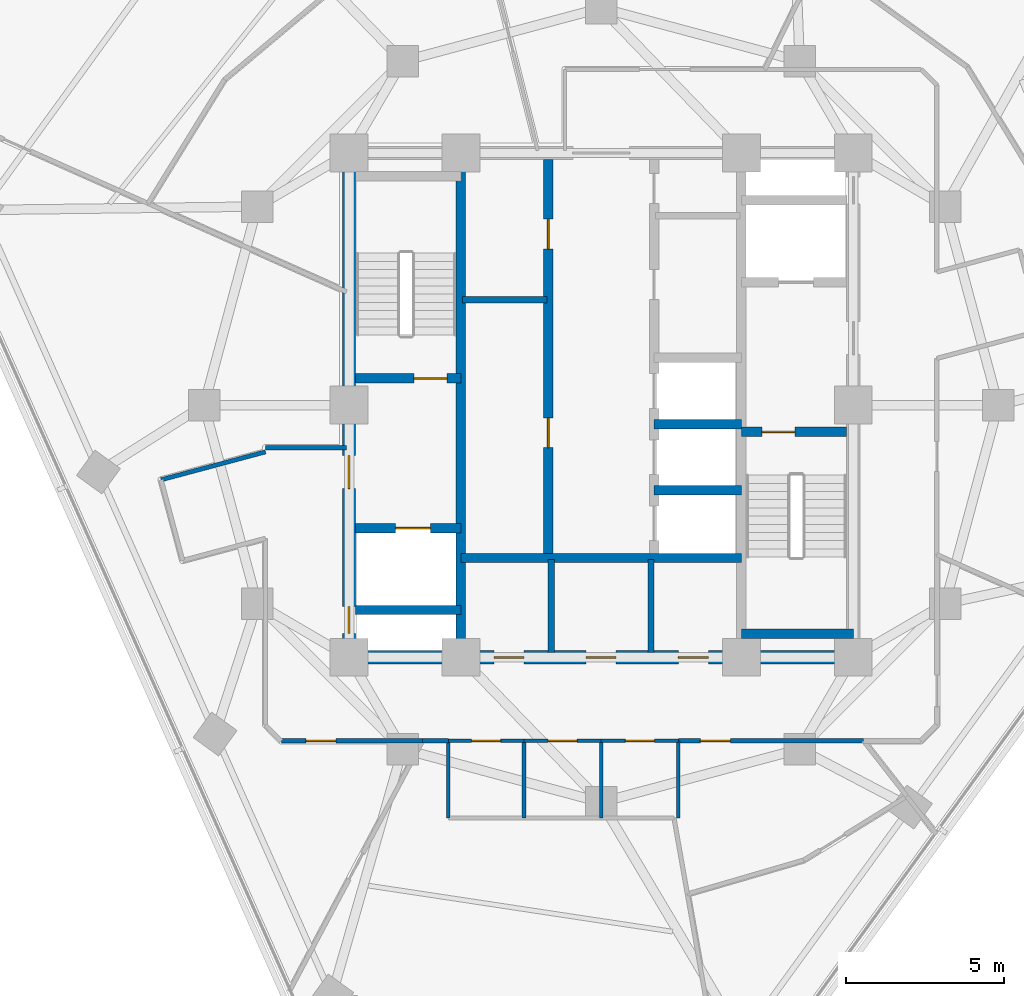
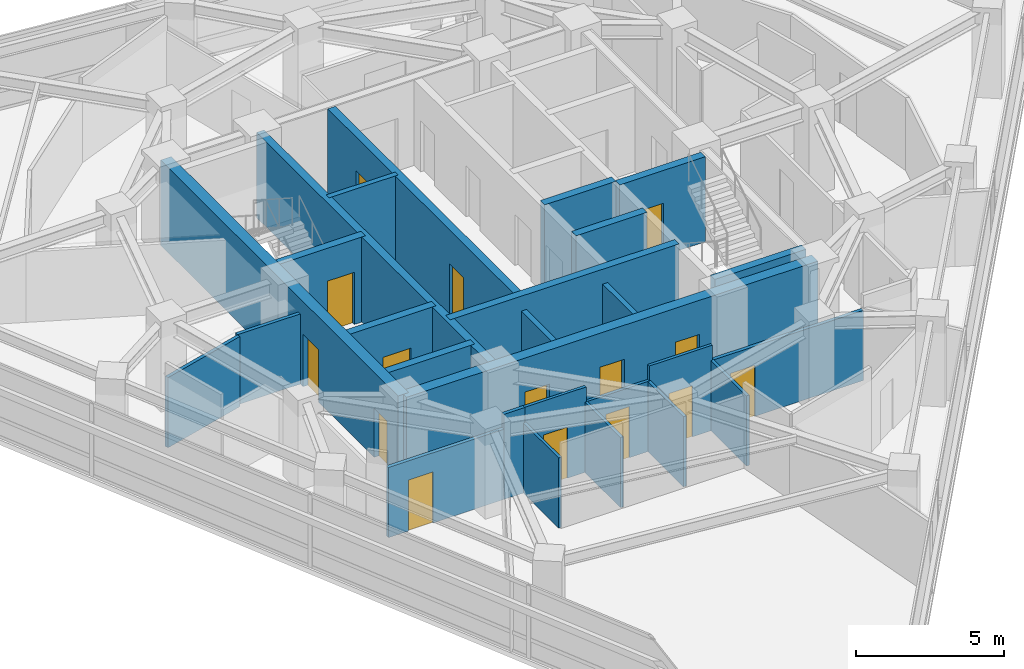
# One storey, part 8 of 15: 27 walls, 15 doors, 15 openings.
"""IFC4 building model written with IfcOpenShell, lengths in metres."""

from ifc_helpers import new_model, si_unit, direction, frame, frame_2d, origin, place, context, subcontext, project, spatial, rectangle, extrude, material, layer, layer_set, type_object, element, fill, save


model = new_model("IFC4")

# Units and contexts
model_context = context("Model", 3, precision=1e-05, world=origin(), true_north=direction((0.0, 1.0)))
body_context = subcontext(model_context, "Body", "Model", "MODEL_VIEW")
ifc_project = project(units=[si_unit("LENGTHUNIT", "METRE"), si_unit("AREAUNIT", "SQUARE_METRE"), si_unit("VOLUMEUNIT", "CUBIC_METRE"), si_unit("PLANEANGLEUNIT", "RADIAN"), si_unit("MASSUNIT", "GRAM", prefix="KILO")], contexts=[model_context])

# Site, building, storey
site_placement = place(None, origin())
site = spatial("IfcSite", under=ifc_project, at=site_placement, CompositionType="ELEMENT")
building_placement = place(site_placement, origin())
building = spatial("IfcBuilding", under=site, at=building_placement, Name="Terralouvre Media Tower", CompositionType="ELEMENT")
storey_placement = place(building_placement, frame((0.0, 0.0, 237.39990234375)))
storey = spatial("IfcBuildingStorey", under=building, at=storey_placement, Name="L61", CompositionType="ELEMENT", Elevation=237.39990234375)

# Wall
ifc_material_1 = material(Name="Concrete C50/60", Category="concrete")
ifc_layer_1 = layer(ifc_material_1, 0.300048828125, Name="Core Internal Shaft Wall CW-300")
ifc_layer_set_1 = layer_set([ifc_layer_1], Name="Concrete C50/60")
wall_type_1 = type_object("IfcWallType", Name="Core Internal Shaft Wall CW-300", PredefinedType="SHEAR", material=ifc_layer_set_1)
wall_1_placement = place(storey_placement, frame((-4.449951171875, -7.7900390625, 0.0), z_axis=(0.0, 0.0, 1.0), x_axis=(0.0, 1.0, 0.0)))
element("IfcWall", 1, at=wall_1_placement, inside=storey, type_object=wall_type_1, Name="L61 Core Shaft Wall SPW", PredefinedType="SHEAR", context=body_context, shape_type="SweptSolid", body=[
    extrude(rectangle(XDim=15.580078125, YDim=0.300048828125, at=frame_2d((7.7900390625, 0.0))), origin(), (0.0, 0.0, 1.0), 3.5),
])

# Wall, opening, door
wall_2_placement = place(storey_placement, frame((-7.7900390625, 0.85009765625, 0.0), z_axis=(0.0, 0.0, 1.0), x_axis=(1.0, 0.0, 0.0)))
wall_2 = element("IfcWall", 2, at=wall_2_placement, inside=storey, type_object=wall_type_1, Name="L61 Core Shaft Wall ST1D", PredefinedType="SHEAR", context=body_context, shape_type="SweptSolid", body=[
    extrude(rectangle(XDim=3.340087890625, YDim=0.300048828125, at=frame_2d((1.669921875, 0.0))), origin(), (0.0, 0.0, 1.0), 3.5),
])
opening_1_placement = place(wall_2_placement, frame((1.85009765625, 0.0, 0.0)))
opening_1 = element("IfcOpeningElement", 3, at=opening_1_placement, cuts=wall_2, Name="Opening FD-01-105X215", PredefinedType="OPENING", context=body_context, shape_type="SweptSolid", body=[
    extrude(rectangle(XDim=1.050048828125, YDim=2.14990234375, at=frame_2d((0.52490234375, 1.074951171875))), frame((0.0, 0.159912109375, 0.0), z_axis=(0.0, -1.0, 0.0), x_axis=(1.0, 0.0, 0.0)), (0.0, 0.0, 1.0), 0.320068359375),
])
ifc_material_2 = material(Name="Galvanised steel fire-resisting leaf", Category="steel")
door_type_1 = type_object("IfcDoorType", Name="Stair and Firefighting Lobby Fire Door FD-01 (1050x2150)", OperationType="NOTDEFINED", PredefinedType="DOOR", material=ifc_material_2)
door_1_placement = place(opening_1_placement, origin())
door_1 = element("IfcDoor", 4, at=door_1_placement, inside=storey, type_object=door_type_1, Name="L61 ST-01 Exit Stair Door", OperationType="SINGLE_SWING_LEFT", OverallHeight=2.14990234375, OverallWidth=1.050048828125, PredefinedType="DOOR", context=body_context, shape_type="SweptSolid", body=[
    extrude(rectangle(XDim=1.050048828125, YDim=2.14990234375, at=frame_2d((0.52490234375, 1.074951171875))), frame((0.0, 0.02490234375, 0.0), z_axis=(0.0, -1.0, 0.0), x_axis=(1.0, 0.0, 0.0)), (0.0, 0.0, 1.0), 0.050048828125),
])
fill(opening_1, door_1)

wall_3_placement = place(storey_placement, frame((4.449951171875, -0.85009765625, 0.0), z_axis=(0.0, 0.0, 1.0), x_axis=(1.0, 0.0, 0.0)))
wall_3 = element("IfcWall", 5, at=wall_3_placement, inside=storey, type_object=wall_type_1, Name="L61 Core Shaft Wall ST2D", PredefinedType="SHEAR", context=body_context, shape_type="SweptSolid", body=[
    extrude(rectangle(XDim=3.340087890625, YDim=0.300048828125, at=frame_2d((1.669921875, 0.0))), origin(), (0.0, 0.0, 1.0), 3.5),
])
opening_2_placement = place(wall_3_placement, frame((0.64990234375, 0.0, 0.0)))
opening_2 = element("IfcOpeningElement", 6, at=opening_2_placement, cuts=wall_3, Name="Opening FD-01-105X215", PredefinedType="OPENING", context=body_context, shape_type="SweptSolid", body=[
    extrude(rectangle(XDim=1.050048828125, YDim=2.14990234375, at=frame_2d((0.52490234375, 1.074951171875))), frame((0.0, 0.159912109375, 0.0), z_axis=(0.0, -1.0, 0.0), x_axis=(1.0, 0.0, 0.0)), (0.0, 0.0, 1.0), 0.320068359375),
])
door_2_placement = place(opening_2_placement, origin())
door_2 = element("IfcDoor", 7, at=door_2_placement, inside=storey, type_object=door_type_1, Name="L61 ST-02 Exit Stair Door", OperationType="SINGLE_SWING_RIGHT", OverallHeight=2.14990234375, OverallWidth=1.050048828125, PredefinedType="DOOR", context=body_context, shape_type="SweptSolid", body=[
    extrude(rectangle(XDim=1.050048828125, YDim=2.14990234375, at=frame_2d((0.52490234375, 1.074951171875))), frame((0.0, 0.02490234375, 0.0), z_axis=(0.0, -1.0, 0.0), x_axis=(1.0, 0.0, 0.0)), (0.0, 0.0, 1.0), 0.050048828125),
])
fill(opening_2, door_2)

# Wall
wall_4_placement = place(storey_placement, frame((4.449951171875, -7.260009765625, 0.0), z_axis=(0.0, 0.0, 1.0), x_axis=(1.0, 0.0, 0.0)))
element("IfcWall", 8, at=wall_4_placement, inside=storey, type_object=wall_type_1, Name="L61 Core Shaft Wall ST2F", PredefinedType="SHEAR", context=body_context, shape_type="SweptSolid", body=[
    extrude(rectangle(XDim=3.550048828125, YDim=0.300048828125, at=frame_2d((1.77490234375, 0.0))), origin(), (0.0, 0.0, 1.0), 3.5),
])

# Wall, opening, door
wall_5_placement = place(storey_placement, frame((-7.7900390625, -3.89990234375, 0.0), z_axis=(0.0, 0.0, 1.0), x_axis=(1.0, 0.0, 0.0)))
wall_5 = element("IfcWall", 9, at=wall_5_placement, inside=storey, type_object=wall_type_1, Name="L61 Core Shaft Wall FF1N", PredefinedType="SHEAR", context=body_context, shape_type="SweptSolid", body=[
    extrude(rectangle(XDim=3.340087890625, YDim=0.300048828125, at=frame_2d((1.669921875, 0.0))), origin(), (0.0, 0.0, 1.0), 3.5),
])
opening_3_placement = place(wall_5_placement, frame((1.27001953125, 0.0, 0.0)))
opening_3 = element("IfcOpeningElement", 10, at=opening_3_placement, cuts=wall_5, Name="Opening LD-FF", PredefinedType="OPENING", context=body_context, shape_type="SweptSolid", body=[
    extrude(rectangle(XDim=1.10009765625, YDim=2.10009765625, at=frame_2d((0.550048828125, 1.050048828125))), frame((0.0, 0.159912109375, 0.0), z_axis=(0.0, -1.0, 0.0), x_axis=(1.0, 0.0, 0.0)), (0.0, 0.0, 1.0), 0.320068359375),
])
ifc_material_3 = material(Name="Stainless steel 316 handrail and balustrade", Category="steel")
door_type_2 = type_object("IfcDoorType", Name="Firefighting Lift Sliding Landing Door LD-FF", OperationType="SLIDING_TO_LEFT", PredefinedType="DOOR", material=ifc_material_3)
door_3_placement = place(opening_3_placement, origin())
door_3 = element("IfcDoor", 11, at=door_3_placement, inside=storey, type_object=door_type_2, Name="L61 Firefighting Lift FFL-01 Landing Door", OperationType="SLIDING_TO_LEFT", OverallHeight=2.10009765625, OverallWidth=1.10009765625, PredefinedType="DOOR", context=body_context, shape_type="SweptSolid", body=[
    extrude(rectangle(XDim=1.10009765625, YDim=2.10009765625, at=frame_2d((0.550048828125, 1.050048828125))), frame((0.0, 0.02490234375, 0.0), z_axis=(0.0, -1.0, 0.0), x_axis=(1.0, 0.0, 0.0)), (0.0, 0.0, 1.0), 0.050048828125),
])
fill(opening_3, door_3)

# Walls
wall_6_placement = place(storey_placement, frame((-7.7900390625, -6.5, 0.0), z_axis=(0.0, 0.0, 1.0), x_axis=(1.0, 0.0, 0.0)))
element("IfcWall", 12, at=wall_6_placement, inside=storey, type_object=wall_type_1, Name="L61 Core Shaft Wall FF1S", PredefinedType="SHEAR", context=body_context, shape_type="SweptSolid", body=[
    extrude(rectangle(XDim=3.340087890625, YDim=0.300048828125, at=frame_2d((1.669921875, 0.0))), origin(), (0.0, 0.0, 1.0), 3.5),
])
wall_7_placement = place(storey_placement, frame((-4.449951171875, -4.85009765625, 0.0), z_axis=(0.0, 0.0, 1.0), x_axis=(1.0, 0.0, 0.0)))
element("IfcWall", 13, at=wall_7_placement, inside=storey, type_object=wall_type_1, Name="L61 Core Shaft Wall CSBN", PredefinedType="SHEAR", context=body_context, shape_type="SweptSolid", body=[
    extrude(rectangle(XDim=8.89990234375, YDim=0.300048828125, at=frame_2d((4.449951171875, 0.0))), origin(), (0.0, 0.0, 1.0), 3.5),
])

# Wall, openings, doors
wall_8_placement = place(storey_placement, frame((-1.679931640625, -4.85009765625, 0.0), z_axis=(0.0, 0.0, 1.0), x_axis=(0.0, 1.0, 0.0)))
wall_8 = element("IfcWall", 14, at=wall_8_placement, inside=storey, type_object=wall_type_1, Name="L61 Core Shaft Wall LBW", PredefinedType="SHEAR", context=body_context, shape_type="SweptSolid", body=[
    extrude(rectangle(XDim=12.64013671875, YDim=0.300048828125, at=frame_2d((6.320068359375, 0.0))), origin(), (0.0, 0.0, 1.0), 3.5),
])
opening_4_placement = place(wall_8_placement, frame((3.5, 0.0, 0.0)))
opening_4 = element("IfcOpeningElement", 15, at=opening_4_placement, cuts=wall_8, Name="Opening FD-04-95X210", PredefinedType="OPENING", context=body_context, shape_type="SweptSolid", body=[
    extrude(rectangle(XDim=0.949951171875, YDim=2.10009765625, at=frame_2d((0.47509765625, 1.050048828125))), frame((0.0, 0.159912109375, 0.0), z_axis=(0.0, -1.0, 0.0), x_axis=(1.0, 0.0, 0.0)), (0.0, 0.0, 1.0), 0.320068359375),
])
opening_5_placement = place(wall_8_placement, frame((9.800048828125, 0.0, 0.0)))
opening_5 = element("IfcOpeningElement", 16, at=opening_5_placement, cuts=wall_8, Name="Opening FD-02-95X210", PredefinedType="OPENING", context=body_context, shape_type="SweptSolid", body=[
    extrude(rectangle(XDim=0.949951171875, YDim=2.10009765625, at=frame_2d((0.47509765625, 1.050048828125))), frame((0.0, 0.159912109375, 0.0), z_axis=(0.0, -1.0, 0.0), x_axis=(1.0, 0.0, 0.0)), (0.0, 0.0, 1.0), 0.320068359375),
])
ifc_material_4 = material(Name="Galvanised steel fire-resisting leaf", Category="steel")
door_type_3 = type_object("IfcDoorType", Name="Core Store and Service Fire Door FD-04 (950x2100)", OperationType="NOTDEFINED", PredefinedType="DOOR", material=ifc_material_4)
door_4_placement = place(opening_4_placement, origin())
door_4 = element("IfcDoor", 17, at=door_4_placement, inside=storey, type_object=door_type_3, Name="L61 Core Archive Store Door", OperationType="SINGLE_SWING_LEFT", OverallHeight=2.10009765625, OverallWidth=0.949951171875, PredefinedType="DOOR", context=body_context, shape_type="SweptSolid", body=[
    extrude(rectangle(XDim=0.949951171875, YDim=2.10009765625, at=frame_2d((0.47509765625, 1.050048828125))), frame((0.0, 0.02490234375, 0.0), z_axis=(0.0, -1.0, 0.0), x_axis=(1.0, 0.0, 0.0)), (0.0, 0.0, 1.0), 0.050048828125),
])
fill(opening_4, door_4)
ifc_material_5 = material(Name="Galvanised steel fire-resisting leaf", Category="steel")
door_type_4 = type_object("IfcDoorType", Name="Plant and Riser Fire Door FD-02 (950x2100)", OperationType="NOTDEFINED", PredefinedType="DOOR", material=ifc_material_5)
door_5_placement = place(opening_5_placement, origin())
door_5 = element("IfcDoor", 18, at=door_5_placement, inside=storey, type_object=door_type_4, Name="L61 Core AV Repeater Plant Door", OperationType="SINGLE_SWING_RIGHT", OverallHeight=2.10009765625, OverallWidth=0.949951171875, PredefinedType="DOOR", context=body_context, shape_type="SweptSolid", body=[
    extrude(rectangle(XDim=0.949951171875, YDim=2.10009765625, at=frame_2d((0.47509765625, 1.050048828125))), frame((0.0, 0.02490234375, 0.0), z_axis=(0.0, -1.0, 0.0), x_axis=(1.0, 0.0, 0.0)), (0.0, 0.0, 1.0), 0.050048828125),
])
fill(opening_5, door_5)

# Walls
for number, where, z_axis, x_axis, name in (
    (19, (1.679931640625, -2.699951171875, 0.0), (0.0, 0.0, 1.0), (1.0, 0.0, 0.0), "L61 Core Shaft Wall PLHD1"),
    (20, (1.679931640625, -0.60009765625, 0.0), (0.0, 0.0, 1.0), (1.0, 0.0, 0.0), "L61 Core Shaft Wall PLHD2"),
):
    element("IfcWall", number, at=place(storey_placement, frame(where, z_axis=z_axis, x_axis=x_axis)), inside=storey, type_object=wall_type_1, Name=name, PredefinedType="SHEAR", context=body_context, shape_type="SweptSolid", body=[
        extrude(rectangle(XDim=2.77001953125, YDim=0.300048828125, at=frame_2d((1.385009765625, 0.0))), origin(), (0.0, 0.0, 1.0), 3.5),
    ])

# Wall, openings, doors
ifc_material_6 = material(Name="Concrete C60/75", Category="concrete")
ifc_layer_2 = layer(ifc_material_6, 0.419921875, Name="Core Reinforced Concrete Shear Wall CW-420")
ifc_layer_set_2 = layer_set([ifc_layer_2], Name="Concrete C60/75")
wall_type_2 = type_object("IfcWallType", Name="Core Reinforced Concrete Shear Wall CW-420", PredefinedType="SHEAR", material=ifc_layer_set_2)
wall_9_placement = place(storey_placement, frame((-8.0, -8.0, 0.0), z_axis=(0.0, 0.0, 1.0), x_axis=(0.0, 1.0, 0.0)))
wall_9 = element("IfcWall", 21, at=wall_9_placement, inside=storey, type_object=wall_type_2, Name="L61 W Core Shear Wall", PredefinedType="SHEAR", context=body_context, shape_type="SweptSolid", body=[
    extrude(rectangle(XDim=16.0, YDim=0.419921875, at=frame_2d((8.0, 0.0))), origin(), (0.0, 0.0, 1.0), 3.5),
])
opening_6_placement = place(wall_9_placement, frame((0.76123046875, 0.0, 0.0)))
opening_6 = element("IfcOpeningElement", 22, at=opening_6_placement, cuts=wall_9, Name="Opening TD-R1", PredefinedType="OPENING", context=body_context, shape_type="SweptSolid", body=[
    extrude(rectangle(XDim=0.85009765625, YDim=2.02001953125, at=frame_2d((0.425048828125, 1.010009765625))), frame((0.0, 0.219970703125, 0.0), z_axis=(0.0, -1.0, 0.0), x_axis=(1.0, 0.0, 0.0)), (0.0, 0.0, 1.0), 0.43994140625),
])
opening_7_placement = place(wall_9_placement, frame((5.35009765625, 0.0, 0.0)))
opening_7 = element("IfcOpeningElement", 23, at=opening_7_placement, cuts=wall_9, Name="Opening FD-01-105X215", PredefinedType="OPENING", context=body_context, shape_type="SweptSolid", body=[
    extrude(rectangle(XDim=1.050048828125, YDim=2.14990234375, at=frame_2d((0.52490234375, 1.074951171875))), frame((0.0, 0.219970703125, 0.0), z_axis=(0.0, -1.0, 0.0), x_axis=(1.0, 0.0, 0.0)), (0.0, 0.0, 1.0), 0.43994140625),
])
ifc_material_7 = material(Name="Galvanised steel fire-resisting leaf", Category="steel")
door_type_5 = type_object("IfcDoorType", Name="Riser Inspection Access Trapdoor TD-R1", OperationType="NOTDEFINED", PredefinedType="TRAPDOOR", material=ifc_material_7)
door_6_placement = place(opening_6_placement, origin())
door_6 = element("IfcDoor", 24, at=door_6_placement, inside=storey, type_object=door_type_5, Name="L61 Wet Riser Access Trapdoor", OperationType="SINGLE_SWING_LEFT", OverallHeight=2.02001953125, OverallWidth=0.85009765625, PredefinedType="TRAPDOOR", context=body_context, shape_type="SweptSolid", body=[
    extrude(rectangle(XDim=0.85009765625, YDim=2.02001953125, at=frame_2d((0.425048828125, 1.010009765625))), frame((0.0, 0.02490234375, 0.0), z_axis=(0.0, -1.0, 0.0), x_axis=(1.0, 0.0, 0.0)), (0.0, 0.0, 1.0), 0.050048828125),
])
fill(opening_6, door_6)
door_7_placement = place(opening_7_placement, origin())
door_7 = element("IfcDoor", 25, at=door_7_placement, inside=storey, type_object=door_type_1, Name="L61 West Firefighting Lobby Entry Door", OperationType="SINGLE_SWING_RIGHT", OverallHeight=2.14990234375, OverallWidth=1.050048828125, PredefinedType="DOOR", context=body_context, shape_type="SweptSolid", body=[
    extrude(rectangle(XDim=1.050048828125, YDim=2.14990234375, at=frame_2d((0.52490234375, 1.074951171875))), frame((0.0, 0.02490234375, 0.0), z_axis=(0.0, -1.0, 0.0), x_axis=(1.0, 0.0, 0.0)), (0.0, 0.0, 1.0), 0.050048828125),
])
fill(opening_7, door_7)

wall_10_placement = place(storey_placement, frame((-8.0, -8.0, 0.0), z_axis=(0.0, 0.0, 1.0), x_axis=(1.0, 0.0, 0.0)))
wall_10 = element("IfcWall", 26, at=wall_10_placement, inside=storey, type_object=wall_type_2, Name="L61 S Core Shear Wall", PredefinedType="SHEAR", context=body_context, shape_type="SweptSolid", body=[
    extrude(rectangle(XDim=16.0, YDim=0.419921875, at=frame_2d((8.0, 0.0))), origin(), (0.0, 0.0, 1.0), 3.5),
])
opening_8_placement = place(wall_10_placement, frame((4.60009765625, 0.0, 0.0)))
opening_8 = element("IfcOpeningElement", 27, at=opening_8_placement, cuts=wall_10, Name="Opening FD-02-95X210", PredefinedType="OPENING", context=body_context, shape_type="SweptSolid", body=[
    extrude(rectangle(XDim=0.949951171875, YDim=2.10009765625, at=frame_2d((0.47509765625, 1.050048828125))), frame((0.0, 0.219970703125, 0.0), z_axis=(0.0, -1.0, 0.0), x_axis=(1.0, 0.0, 0.0)), (0.0, 0.0, 1.0), 0.43994140625),
])
opening_9_placement = place(wall_10_placement, frame((7.52001953125, 0.0, 0.0)))
opening_9 = element("IfcOpeningElement", 28, at=opening_9_placement, cuts=wall_10, Name="Opening FD-02-95X210", PredefinedType="OPENING", context=body_context, shape_type="SweptSolid", body=[
    extrude(rectangle(XDim=0.949951171875, YDim=2.10009765625, at=frame_2d((0.47509765625, 1.050048828125))), frame((0.0, 0.219970703125, 0.0), z_axis=(0.0, -1.0, 0.0), x_axis=(1.0, 0.0, 0.0)), (0.0, 0.0, 1.0), 0.43994140625),
])
opening_10_placement = place(wall_10_placement, frame((10.449951171875, 0.0, 0.0)))
opening_10 = element("IfcOpeningElement", 29, at=opening_10_placement, cuts=wall_10, Name="Opening FD-02-95X210", PredefinedType="OPENING", context=body_context, shape_type="SweptSolid", body=[
    extrude(rectangle(XDim=0.949951171875, YDim=2.10009765625, at=frame_2d((0.47509765625, 1.050048828125))), frame((0.0, 0.219970703125, 0.0), z_axis=(0.0, -1.0, 0.0), x_axis=(1.0, 0.0, 0.0)), (0.0, 0.0, 1.0), 0.43994140625),
])
door_8_placement = place(opening_8_placement, origin())
door_8 = element("IfcDoor", 30, at=door_8_placement, inside=storey, type_object=door_type_4, Name="L61 Core Janitor Store Door", OperationType="SINGLE_SWING_LEFT", OverallHeight=2.10009765625, OverallWidth=0.949951171875, PredefinedType="DOOR", context=body_context, shape_type="SweptSolid", body=[
    extrude(rectangle(XDim=0.949951171875, YDim=2.10009765625, at=frame_2d((0.47509765625, 1.050048828125))), frame((0.0, 0.02490234375, 0.0), z_axis=(0.0, -1.0, 0.0), x_axis=(1.0, 0.0, 0.0)), (0.0, 0.0, 1.0), 0.050048828125),
])
fill(opening_8, door_8)
door_9_placement = place(opening_9_placement, origin())
door_9 = element("IfcDoor", 31, at=door_9_placement, inside=storey, type_object=door_type_4, Name="L61 Core Linen Store Door", OperationType="SINGLE_SWING_RIGHT", OverallHeight=2.10009765625, OverallWidth=0.949951171875, PredefinedType="DOOR", context=body_context, shape_type="SweptSolid", body=[
    extrude(rectangle(XDim=0.949951171875, YDim=2.10009765625, at=frame_2d((0.47509765625, 1.050048828125))), frame((0.0, 0.02490234375, 0.0), z_axis=(0.0, -1.0, 0.0), x_axis=(1.0, 0.0, 0.0)), (0.0, 0.0, 1.0), 0.050048828125),
])
fill(opening_9, door_9)
door_10_placement = place(opening_10_placement, origin())
door_10 = element("IfcDoor", 32, at=door_10_placement, inside=storey, type_object=door_type_4, Name="L61 Core Metering Plant Door", OperationType="SINGLE_SWING_LEFT", OverallHeight=2.10009765625, OverallWidth=0.949951171875, PredefinedType="DOOR", context=body_context, shape_type="SweptSolid", body=[
    extrude(rectangle(XDim=0.949951171875, YDim=2.10009765625, at=frame_2d((0.47509765625, 1.050048828125))), frame((0.0, 0.02490234375, 0.0), z_axis=(0.0, -1.0, 0.0), x_axis=(1.0, 0.0, 0.0)), (0.0, 0.0, 1.0), 0.050048828125),
])
fill(opening_10, door_10)

# Walls
ifc_material_8 = material(Name="Fire-rated gypsum board drywall partition")
ifc_layer_3 = layer(ifc_material_8, 0.199951171875, Name="Fire-Rated Shaft and Lobby Partition FW-200")
ifc_layer_set_3 = layer_set([ifc_layer_3], Name="Fire-rated gypsum board drywall partition")
wall_type_3 = type_object("IfcWallType", Name="Fire-Rated Shaft and Lobby Partition FW-200", PredefinedType="SOLIDWALL", material=ifc_layer_set_3)
for number, where, z_axis, x_axis, name in (
    (33, (-1.580078125, -7.85009765625, 0.0), (0.0, 0.0, 1.0), (0.0, 1.0, 0.0), "L61 Core Service Bay Partition 1"),
    (34, (1.580078125, -7.85009765625, 0.0), (0.0, 0.0, 1.0), (0.0, 1.0, 0.0), "L61 Core Service Bay Partition 2"),
):
    element("IfcWall", number, at=place(storey_placement, frame(where, z_axis=z_axis, x_axis=x_axis)), inside=storey, type_object=wall_type_3, Name=name, PredefinedType="SOLIDWALL", context=body_context, shape_type="SweptSolid", body=[
        extrude(rectangle(XDim=2.9501953125, YDim=0.199951171875, at=frame_2d((1.47509765625, 0.0))), origin(), (0.0, 0.0, 1.0), 2.885009765625),
    ])
wall_11_placement = place(storey_placement, frame((-4.39990234375, 3.340087890625, 0.0), z_axis=(0.0, 0.0, 1.0), x_axis=(1.0, 0.0, 0.0)))
element("IfcWall", 35, at=wall_11_placement, inside=storey, type_object=wall_type_3, Name="L61 Core West Sub-Partition 1", PredefinedType="SOLIDWALL", context=body_context, shape_type="SweptSolid", body=[
    extrude(rectangle(XDim=2.679931640625, YDim=0.199951171875, at=frame_2d((1.33984375, 0.0))), origin(), (0.0, 0.0, 1.0), 3.5),
])
ifc_material_9 = material(Name="Fire-rated gypsum board drywall partition")
ifc_layer_4 = layer(ifc_material_9, 0.135009765625, Name="Newsroom Acoustic Partition PT-135")
ifc_layer_set_4 = layer_set([ifc_layer_4], Name="Fire-rated gypsum board drywall partition")
wall_type_4 = type_object("IfcWallType", Name="Newsroom Acoustic Partition PT-135", PredefinedType="PARTITIONING", material=ifc_layer_set_4)
wall_12_placement = place(storey_placement, frame((-8.080078125, -1.35009765625, 0.0), z_axis=(0.0, 0.0, 1.0), x_axis=(-1.0, 0.0, 0.0)))
element("IfcWall", 36, at=wall_12_placement, inside=storey, type_object=wall_type_4, Name="L61 Interior Partition 001", PredefinedType="PARTITIONING", context=body_context, shape_type="SweptSolid", body=[
    extrude(rectangle(XDim=2.56982421875, YDim=0.135009765625, at=frame_2d((1.284912109375, 0.0))), origin(), (0.0, 0.0, 1.0), 2.885009765625),
])
wall_13_placement = place(storey_placement, frame((-10.64990234375, -1.48193359375, 0.0), z_axis=(0.0, 0.0, 1.0), x_axis=(-0.965961397105, -0.2586862565, 0.0)))
element("IfcWall", 37, at=wall_13_placement, inside=storey, type_object=wall_type_4, Name="L61 Interior Partition 002", PredefinedType="PARTITIONING", context=body_context, shape_type="SweptSolid", body=[
    extrude(rectangle(XDim=3.4287109375, YDim=0.135009765625, at=frame_2d((1.71435546875, 0.0))), origin(), (0.0, 0.0, 1.0), 2.885009765625),
])

# Wall, opening, door
wall_14_placement = place(storey_placement, frame((-10.14990234375, -10.64990234375, 0.0), z_axis=(0.0, 0.0, 1.0), x_axis=(1.0, 0.0, 0.0)))
wall_14 = element("IfcWall", 38, at=wall_14_placement, inside=storey, type_object=wall_type_4, Name="L61 Interior Partition 007", PredefinedType="PARTITIONING", context=body_context, shape_type="SweptSolid", body=[
    extrude(rectangle(XDim=4.48681640625, YDim=0.135009765625, at=frame_2d((2.243408203125, 0.0))), origin(), (0.0, 0.0, 1.0), 2.885009765625),
])
opening_11_placement = place(wall_14_placement, frame((0.781494140625, 0.0, 0.0)))
opening_11 = element("IfcOpeningElement", 39, at=opening_11_placement, cuts=wall_14, Name="Opening ID-02-95X210", PredefinedType="OPENING", context=body_context, shape_type="SweptSolid", body=[
    extrude(rectangle(XDim=0.949951171875, YDim=2.10009765625, at=frame_2d((0.47509765625, 1.050048828125))), frame((0.0, 0.077392578125, 0.0), z_axis=(0.0, -1.0, 0.0), x_axis=(1.0, 0.0, 0.0)), (0.0, 0.0, 1.0), 0.155029296875),
])
ifc_material_10 = material(Name="Engineered hardwood acoustic timber leaf", Category="wood")
door_type_6 = type_object("IfcDoorType", Name="Office and Meeting Room Door ID-02 (950x2100)", OperationType="NOTDEFINED", PredefinedType="DOOR", material=ifc_material_10)
door_11_placement = place(opening_11_placement, origin())
door_11 = element("IfcDoor", 40, at=door_11_placement, inside=storey, type_object=door_type_6, Name="L61 Journalist Quiet Study 1 Door", OperationType="SINGLE_SWING_RIGHT", OverallHeight=2.10009765625, OverallWidth=0.949951171875, PredefinedType="DOOR", context=body_context, shape_type="SweptSolid", body=[
    extrude(rectangle(XDim=0.949951171875, YDim=2.10009765625, at=frame_2d((0.47509765625, 1.050048828125))), frame((0.0, 0.02490234375, 0.0), z_axis=(0.0, -1.0, 0.0), x_axis=(1.0, 0.0, 0.0)), (0.0, 0.0, 1.0), 0.050048828125),
])
fill(opening_11, door_11)

# Wall
wall_15_placement = place(storey_placement, frame((-5.6630859375, -10.64990234375, 0.0), z_axis=(0.0, 0.0, 1.0), x_axis=(1.0, 0.0, 0.0)))
element("IfcWall", 41, at=wall_15_placement, inside=storey, type_object=wall_type_4, Name="L61 Interior Partition 016", PredefinedType="PARTITIONING", context=body_context, shape_type="SweptSolid", body=[
    extrude(rectangle(XDim=0.81298828125, YDim=0.135009765625, at=frame_2d((0.406494140625, 0.0))), origin(), (0.0, 0.0, 1.0), 3.5),
])

# Wall, opening, door
wall_16_placement = place(storey_placement, frame((2.449951171875, -10.64990234375, 0.0), z_axis=(0.0, 0.0, 1.0), x_axis=(1.0, 0.0, 0.0)))
wall_16 = element("IfcWall", 42, at=wall_16_placement, inside=storey, type_object=wall_type_4, Name="L61 Interior Partition 019", PredefinedType="PARTITIONING", context=body_context, shape_type="SweptSolid", body=[
    extrude(rectangle(XDim=5.87109375, YDim=0.135009765625, at=frame_2d((2.935546875, 0.0))), origin(), (0.0, 0.0, 1.0), 2.885009765625),
])
opening_12_placement = place(wall_16_placement, frame((0.69921875, 0.0, 0.0)))
opening_12 = element("IfcOpeningElement", 43, at=opening_12_placement, cuts=wall_16, Name="Opening ID-02-95X210", PredefinedType="OPENING", context=body_context, shape_type="SweptSolid", body=[
    extrude(rectangle(XDim=0.949951171875, YDim=2.10009765625, at=frame_2d((0.47509765625, 1.050048828125))), frame((0.0, 0.077392578125, 0.0), z_axis=(0.0, -1.0, 0.0), x_axis=(1.0, 0.0, 0.0)), (0.0, 0.0, 1.0), 0.155029296875),
])
door_12_placement = place(opening_12_placement, origin())
door_12 = element("IfcDoor", 44, at=door_12_placement, inside=storey, type_object=door_type_6, Name="L61 FOIA Research Workspace 5 Door", OperationType="SINGLE_SWING_LEFT", OverallHeight=2.10009765625, OverallWidth=0.949951171875, PredefinedType="DOOR", context=body_context, shape_type="SweptSolid", body=[
    extrude(rectangle(XDim=0.949951171875, YDim=2.10009765625, at=frame_2d((0.47509765625, 1.050048828125))), frame((0.0, 0.02490234375, 0.0), z_axis=(0.0, -1.0, 0.0), x_axis=(1.0, 0.0, 0.0)), (0.0, 0.0, 1.0), 0.050048828125),
])
fill(opening_12, door_12)

ifc_material_11 = material(Name="Fire-rated gypsum board drywall partition")
ifc_layer_5 = layer(ifc_material_11, 0.114990234375, Name="Restroom and Pantry Partition PT-115")
ifc_layer_set_5 = layer_set([ifc_layer_5], Name="Fire-rated gypsum board drywall partition")
wall_type_5 = type_object("IfcWallType", Name="Restroom and Pantry Partition PT-115", PredefinedType="PARTITIONING", material=ifc_layer_set_5)
wall_17_placement = place(storey_placement, frame((-4.85009765625, -10.64990234375, 0.0), z_axis=(0.0, 0.0, 1.0), x_axis=(1.0, 0.0, 0.0)))
wall_17 = element("IfcWall", 45, at=wall_17_placement, inside=storey, type_object=wall_type_5, Name="L61 Interior Partition 015", PredefinedType="PARTITIONING", context=body_context, shape_type="SweptSolid", body=[
    extrude(rectangle(XDim=2.400146484375, YDim=0.114990234375, at=frame_2d((1.2001953125, 0.0))), origin(), (0.0, 0.0, 1.0), 3.5),
])
opening_13_placement = place(wall_17_placement, frame((0.739990234375, 0.0, 0.0)))
opening_13 = element("IfcOpeningElement", 46, at=opening_13_placement, cuts=wall_17, Name="Opening ID-03-92X210", PredefinedType="OPENING", context=body_context, shape_type="SweptSolid", body=[
    extrude(rectangle(XDim=0.919921875, YDim=2.10009765625, at=frame_2d((0.4599609375, 1.050048828125))), frame((0.0, 0.0673828125, 0.0), z_axis=(0.0, -1.0, 0.0), x_axis=(1.0, 0.0, 0.0)), (0.0, 0.0, 1.0), 0.135009765625),
])
ifc_material_12 = material(Name="Engineered hardwood acoustic timber leaf", Category="wood")
door_type_7 = type_object("IfcDoorType", Name="Accessible Restroom and Suite Door ID-03 (920x2100)", OperationType="NOTDEFINED", PredefinedType="DOOR", material=ifc_material_12)
door_13_placement = place(opening_13_placement, origin())
door_13 = element("IfcDoor", 47, at=door_13_placement, inside=storey, type_object=door_type_7, Name="L61 Male Restroom WC Door", OperationType="SINGLE_SWING_RIGHT", OverallHeight=2.10009765625, OverallWidth=0.919921875, PredefinedType="DOOR", context=body_context, shape_type="SweptSolid", body=[
    extrude(rectangle(XDim=0.919921875, YDim=2.10009765625, at=frame_2d((0.4599609375, 1.050048828125))), frame((0.0, 0.02490234375, 0.0), z_axis=(0.0, -1.0, 0.0), x_axis=(1.0, 0.0, 0.0)), (0.0, 0.0, 1.0), 0.050048828125),
])
fill(opening_13, door_13)

wall_18_placement = place(storey_placement, frame((-2.449951171875, -10.64990234375, 0.0), z_axis=(0.0, 0.0, 1.0), x_axis=(1.0, 0.0, 0.0)))
wall_18 = element("IfcWall", 48, at=wall_18_placement, inside=storey, type_object=wall_type_5, Name="L61 Interior Partition 017", PredefinedType="PARTITIONING", context=body_context, shape_type="SweptSolid", body=[
    extrude(rectangle(XDim=2.449951171875, YDim=0.114990234375, at=frame_2d((1.22509765625, 0.0))), origin(), (0.0, 0.0, 1.0), 2.885009765625),
])
opening_14_placement = place(wall_18_placement, frame((0.764892578125, 0.0, 0.0)))
opening_14 = element("IfcOpeningElement", 49, at=opening_14_placement, cuts=wall_18, Name="Opening ID-03-92X210", PredefinedType="OPENING", context=body_context, shape_type="SweptSolid", body=[
    extrude(rectangle(XDim=0.919921875, YDim=2.10009765625, at=frame_2d((0.4599609375, 1.050048828125))), frame((0.0, 0.0673828125, 0.0), z_axis=(0.0, -1.0, 0.0), x_axis=(1.0, 0.0, 0.0)), (0.0, 0.0, 1.0), 0.135009765625),
])
door_14_placement = place(opening_14_placement, origin())
door_14 = element("IfcDoor", 50, at=door_14_placement, inside=storey, type_object=door_type_7, Name="L61 Female Restroom WC Door", OperationType="SINGLE_SWING_LEFT", OverallHeight=2.10009765625, OverallWidth=0.919921875, PredefinedType="DOOR", context=body_context, shape_type="SweptSolid", body=[
    extrude(rectangle(XDim=0.919921875, YDim=2.10009765625, at=frame_2d((0.4599609375, 1.050048828125))), frame((0.0, 0.02490234375, 0.0), z_axis=(0.0, -1.0, 0.0), x_axis=(1.0, 0.0, 0.0)), (0.0, 0.0, 1.0), 0.050048828125),
])
fill(opening_14, door_14)

wall_19_placement = place(storey_placement, frame((0.0, -10.64990234375, 0.0), z_axis=(0.0, 0.0, 1.0), x_axis=(1.0, 0.0, 0.0)))
wall_19 = element("IfcWall", 51, at=wall_19_placement, inside=storey, type_object=wall_type_5, Name="L61 Interior Partition 018", PredefinedType="PARTITIONING", context=body_context, shape_type="SweptSolid", body=[
    extrude(rectangle(XDim=2.449951171875, YDim=0.114990234375, at=frame_2d((1.22509765625, 0.0))), origin(), (0.0, 0.0, 1.0), 3.5),
])
opening_15_placement = place(wall_19_placement, frame((0.764892578125, 0.0, 0.0)))
opening_15 = element("IfcOpeningElement", 52, at=opening_15_placement, cuts=wall_19, Name="Opening ID-03-92X210", PredefinedType="OPENING", context=body_context, shape_type="SweptSolid", body=[
    extrude(rectangle(XDim=0.919921875, YDim=2.10009765625, at=frame_2d((0.4599609375, 1.050048828125))), frame((0.0, 0.0673828125, 0.0), z_axis=(0.0, -1.0, 0.0), x_axis=(1.0, 0.0, 0.0)), (0.0, 0.0, 1.0), 0.135009765625),
])
door_15_placement = place(opening_15_placement, origin())
door_15 = element("IfcDoor", 53, at=door_15_placement, inside=storey, type_object=door_type_7, Name="L61 Accessible Unisex WC Door", OperationType="SINGLE_SWING_RIGHT", OverallHeight=2.10009765625, OverallWidth=0.919921875, PredefinedType="DOOR", context=body_context, shape_type="SweptSolid", body=[
    extrude(rectangle(XDim=0.919921875, YDim=2.10009765625, at=frame_2d((0.4599609375, 1.050048828125))), frame((0.0, 0.02490234375, 0.0), z_axis=(0.0, -1.0, 0.0), x_axis=(1.0, 0.0, 0.0)), (0.0, 0.0, 1.0), 0.050048828125),
])
fill(opening_15, door_15)

# Walls
for number, where, z_axis, x_axis, name in (
    (54, (-4.85009765625, -10.64990234375, 0.0), (0.0, 0.0, 1.0), (0.0, -1.0, 0.0), "L61 Interior Partition 034"),
    (55, (-2.449951171875, -13.10009765625, 0.0), (0.0, 0.0, 1.0), (0.0, 1.0, 0.0), "L61 Interior Partition 036"),
    (56, (0.0, -13.10009765625, 0.0), (0.0, 0.0, 1.0), (0.0, 1.0, 0.0), "L61 Interior Partition 041"),
    (57, (2.449951171875, -13.10009765625, 0.0), (0.0, 0.0, 1.0), (0.0, 1.0, 0.0), "L61 Interior Partition 042"),
):
    element("IfcWall", number, at=place(storey_placement, frame(where, z_axis=z_axis, x_axis=x_axis)), inside=storey, type_object=wall_type_5, Name=name, PredefinedType="PARTITIONING", context=body_context, shape_type="SweptSolid", body=[
        extrude(rectangle(XDim=2.4501953125, YDim=0.114990234375, at=frame_2d((1.22509765625, 0.0))), origin(), (0.0, 0.0, 1.0), 2.885009765625),
    ])

save(model, "model.ifc")
